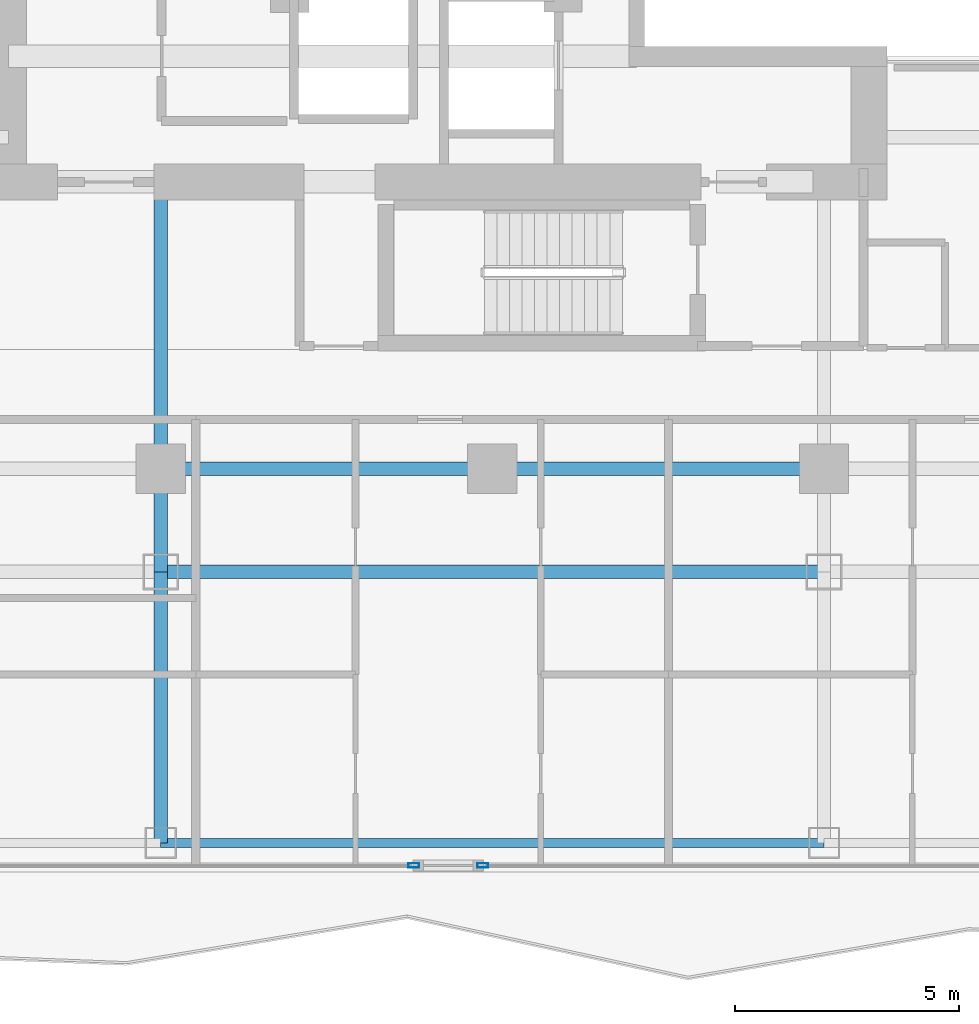
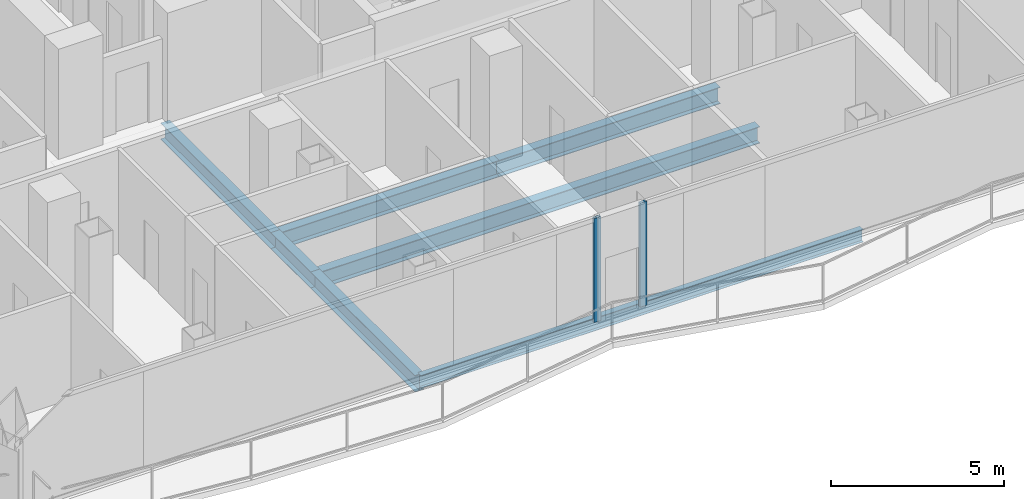
# One storey, part 4 of 26: 7 beams, 2 members, 2 elements without a shape of their own.
"""IFC4 building model written with IfcOpenShell, lengths in metres."""

from ifc_helpers import new_model, si_unit, direction, frame, origin, origin_2d, place, context, subcontext, project, spatial, hollow_rectangle, i_section, extrude, material, layer, layer_set, material_profile, profile_set, type_object, element, aggregate, save


model = new_model("IFC4")

# Units and contexts
model_context = context("Model", 3, precision=1e-05, world=origin(), true_north=direction((0.0, 1.0)))
body_context = subcontext(model_context, "Body", "Model", "MODEL_VIEW")
ifc_project = project(units=[si_unit("LENGTHUNIT", "METRE"), si_unit("AREAUNIT", "SQUARE_METRE"), si_unit("VOLUMEUNIT", "CUBIC_METRE"), si_unit("PLANEANGLEUNIT", "RADIAN"), si_unit("MASSUNIT", "GRAM", prefix="KILO")], contexts=[model_context])

# Site, building, storey
site_placement = place(None, origin())
site = spatial("IfcSite", under=ifc_project, at=site_placement, CompositionType="ELEMENT")
building_placement = place(site_placement, origin())
building = spatial("IfcBuilding", under=site, at=building_placement, Name="Khorvyn Point Tower", CompositionType="ELEMENT")
storey_placement = place(building_placement, frame((0.0, 0.0, 183.60009765625)))
storey = spatial("IfcBuildingStorey", under=building, at=storey_placement, Name="L45", CompositionType="ELEMENT", Elevation=183.60009765625)

# Curtain wall, member
ifc_material_1 = material(Name="Anodised aluminium 6063-T6 and laminated Low-E glass", Category="aluminium")
ifc_layer = layer(ifc_material_1, 0.18994140625)
ifc_layer_set = layer_set([ifc_layer], Name="Stick-Built Acoustic Curtain Wall CW-SYS-03")
curtain_wall_type = type_object("IfcCurtainWallType", Name="Stick-Built Acoustic Curtain Wall CW-SYS-03", PredefinedType="NOTDEFINED", material=ifc_layer_set)
curtain_wall_1_placement = place(storey_placement, origin())
curtain_wall_1 = element("IfcCurtainWall", 1, at=curtain_wall_1_placement, inside=storey, type_object=curtain_wall_type, Name="Curtain Wall", PredefinedType="NOTDEFINED")
ifc_material_2 = material(Name="Anodised aluminium 6063-T6", Category="aluminium")
ifc_material_profile_1 = material_profile(ifc_material_2, hollow_rectangle(XDim=0.10009765625, YDim=0.239990234375, WallThickness=0.0048828125, at=origin_2d()))
ifc_profile_set_1 = profile_set([ifc_material_profile_1], Name="Anodised aluminium 6063-T6 ALU-MUL-100x240")
member_type = type_object("IfcMemberType", Name="Anodised Aluminium 6063-T6 Mullion ALU-MUL-100x240", PredefinedType="MULLION", material=ifc_profile_set_1)
member_1_placement = place(storey_placement, frame((-0.216064453125, -23.64990234375, 0.0), z_axis=(0.0, 0.0, 1.0), x_axis=(0.0, -1.0, 0.0)))
member_1 = element("IfcMember", 2, at=member_1_placement, type_object=member_type, Name="Transom", PredefinedType="MULLION", context=body_context, shape_type="SweptSolid", body=[
    extrude(hollow_rectangle(XDim=0.10009765625, YDim=0.239990234375, WallThickness=0.0048828125, at=origin_2d()), origin(), (0.0, 0.0, 1.0), 3.679931640625),
])
aggregate(curtain_wall_1, [member_1])

curtain_wall_2_placement = place(storey_placement, origin())
curtain_wall_2 = element("IfcCurtainWall", 3, at=curtain_wall_2_placement, inside=storey, type_object=curtain_wall_type, Name="Curtain Wall", PredefinedType="NOTDEFINED")
member_2_placement = place(storey_placement, frame((-1.756103515625, -23.64990234375, 0.0), z_axis=(0.0, 0.0, 1.0), x_axis=(0.0, -1.0, 0.0)))
member_2 = element("IfcMember", 4, at=member_2_placement, type_object=member_type, Name="Transom", PredefinedType="MULLION", context=body_context, shape_type="SweptSolid", body=[
    extrude(hollow_rectangle(XDim=0.10009765625, YDim=0.239990234375, WallThickness=0.0048828125, at=origin_2d()), origin(), (0.0, 0.0, 1.0), 3.679931640625),
])
aggregate(curtain_wall_2, [member_2])

# Beams
ifc_material_3 = material(Name="Steel S355", Category="steel")
ifc_material_profile_2 = material_profile(ifc_material_3, i_section(OverallWidth=0.300048828125, OverallDepth=0.587890625, WebThickness=0.011962890625, FlangeThickness=0.02001953125, at=origin_2d()))
ifc_profile_set_2 = profile_set([ifc_material_profile_2], Name="Steel S355 H588x300x12x20")
beam_type_1 = type_object("IfcBeamType", Name="Steel S355 Beam H588x300x12x20", PredefinedType="BEAM", material=ifc_profile_set_2)
for number, where, z_axis, x_axis, name in (
    (5, (-7.39990234375, -14.800048828125, -0.51416015625), (1.0, 0.0, 0.0), (0.0, 1.0, 0.0), "Beam"),
    (6, (0.0, -14.800048828125, -0.51416015625), (1.0, 0.0, 0.0), (0.0, 1.0, 0.0), "Beam"),
):
    element("IfcBeam", number, at=place(storey_placement, frame(where, z_axis=z_axis, x_axis=x_axis)), inside=storey, type_object=beam_type_1, Name=name, PredefinedType="BEAM", context=body_context, shape_type="SweptSolid", body=[
        extrude(i_section(OverallWidth=0.300048828125, OverallDepth=0.587890625, WebThickness=0.011962890625, FlangeThickness=0.02001953125, at=origin_2d()), origin(), (0.0, 0.0, 1.0), 7.39990234375),
    ])
beam_1_placement = place(storey_placement, frame((-7.39990234375, -17.10009765625, -0.51416015625), z_axis=(1.0, 0.0, 0.0), x_axis=(0.0, 1.0, 0.0)))
element("IfcBeam", 7, at=beam_1_placement, inside=storey, type_object=beam_type_1, Name="Beam", PredefinedType="BEAM", context=body_context, shape_type="SweptSolid", body=[
    extrude(i_section(OverallWidth=0.300048828125, OverallDepth=0.587890625, WebThickness=0.011962890625, FlangeThickness=0.02001953125, at=origin_2d()), origin(), (0.0, 0.0, 1.0), 14.7998046875),
])
beam_2_placement = place(storey_placement, frame((-7.39990234375, -23.14990234375, -0.51416015625), z_axis=(0.0, 1.0, 0.0), x_axis=(-1.0, 0.0, 0.0)))
element("IfcBeam", 8, at=beam_2_placement, inside=storey, type_object=beam_type_1, Name="Beam", PredefinedType="BEAM", context=body_context, shape_type="SweptSolid", body=[
    extrude(i_section(OverallWidth=0.300048828125, OverallDepth=0.587890625, WebThickness=0.011962890625, FlangeThickness=0.02001953125, at=origin_2d()), origin(), (0.0, 0.0, 1.0), 6.0498046875),
])
beam_3_placement = place(storey_placement, frame((-7.39990234375, -17.10009765625, -0.51416015625), z_axis=(0.0, 1.0, 0.0), x_axis=(-1.0, 0.0, 0.0)))
element("IfcBeam", 9, at=beam_3_placement, inside=storey, type_object=beam_type_1, Name="Beam", PredefinedType="BEAM", context=body_context, shape_type="SweptSolid", body=[
    extrude(i_section(OverallWidth=0.300048828125, OverallDepth=0.587890625, WebThickness=0.011962890625, FlangeThickness=0.02001953125, at=origin_2d()), origin(), (0.0, 0.0, 1.0), 2.300048828125),
])
beam_4_placement = place(storey_placement, frame((-7.39990234375, -14.800048828125, -0.51416015625), z_axis=(0.0, 1.0, 0.0), x_axis=(-1.0, 0.0, 0.0)))
element("IfcBeam", 10, at=beam_4_placement, inside=storey, type_object=beam_type_1, Name="Beam", PredefinedType="BEAM", context=body_context, shape_type="SweptSolid", body=[
    extrude(i_section(OverallWidth=0.300048828125, OverallDepth=0.587890625, WebThickness=0.011962890625, FlangeThickness=0.02001953125, at=origin_2d()), origin(), (0.0, 0.0, 1.0), 6.400146484375),
])
ifc_material_profile_3 = material_profile(ifc_material_3, i_section(OverallWidth=0.199951171875, OverallDepth=0.449951171875, WebThickness=0.009033203125, FlangeThickness=0.013916015625, at=origin_2d()))
ifc_profile_set_3 = profile_set([ifc_material_profile_3], Name="Steel S355 H450x200x9x14")
beam_type_2 = type_object("IfcBeamType", Name="Steel S355 Spandrel H450x200x9x14", PredefinedType="SPANDREL", material=ifc_profile_set_3)
beam_5_placement = place(storey_placement, frame((-7.39990234375, -23.14990234375, -0.445068359375), z_axis=(1.0, 0.0, 0.0), x_axis=(0.0, 1.0, 0.0)))
element("IfcBeam", 11, at=beam_5_placement, inside=storey, type_object=beam_type_2, Name="Beam", PredefinedType="SPANDREL", context=body_context, shape_type="SweptSolid", body=[
    extrude(i_section(OverallWidth=0.199951171875, OverallDepth=0.449951171875, WebThickness=0.009033203125, FlangeThickness=0.013916015625, at=origin_2d()), origin(), (0.0, 0.0, 1.0), 14.7998046875),
])

save(model, "model.ifc")
